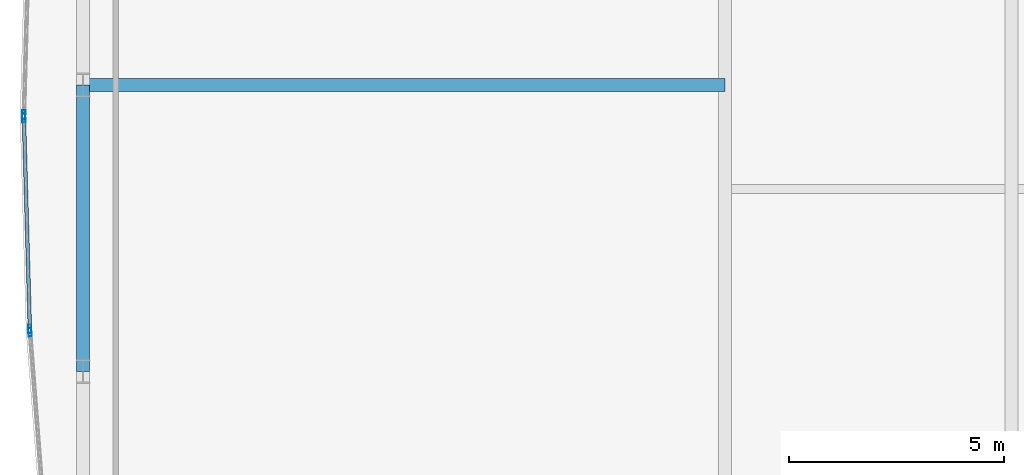
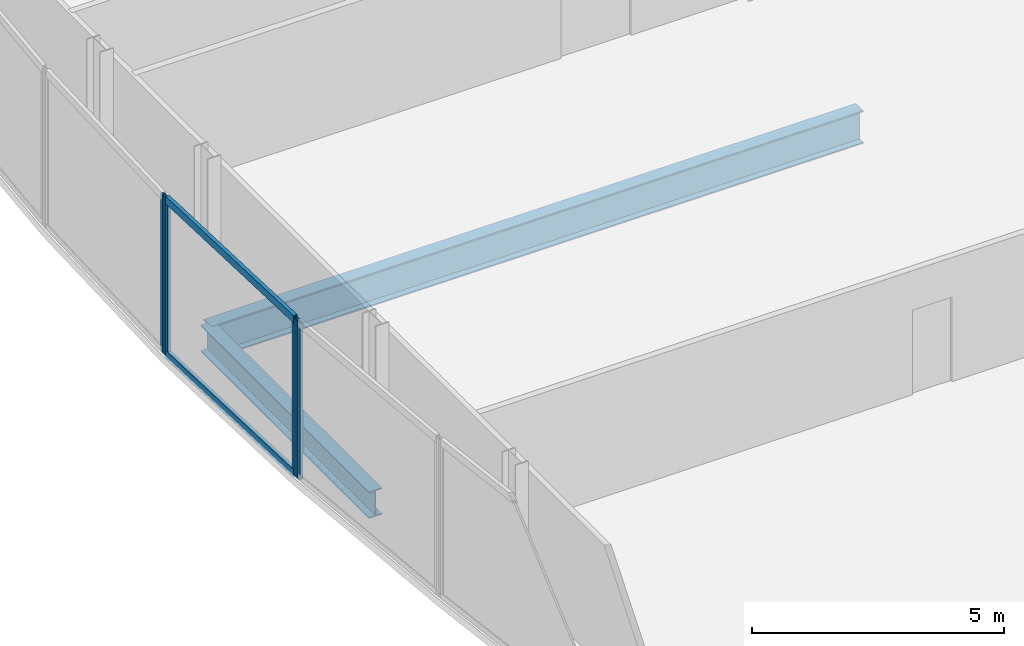
# One storey, part 10 of 30: 6 members, 2 beams, 3 elements without a shape of their own.
"""IFC4 building model written with IfcOpenShell, lengths in metres."""

from ifc_helpers import new_model, si_unit, direction, frame, origin, origin_2d, place, context, subcontext, project, spatial, hollow_rectangle, i_section, extrude, material, material_profile, profile_set, type_object, element, aggregate, save


model = new_model("IFC4")

# Units and contexts
model_context = context("Model", 3, precision=1e-05, world=origin(), true_north=direction((0.0, 1.0)))
body_context = subcontext(model_context, "Body", "Model", "MODEL_VIEW")
ifc_project = project(units=[si_unit("LENGTHUNIT", "METRE"), si_unit("AREAUNIT", "SQUARE_METRE"), si_unit("VOLUMEUNIT", "CUBIC_METRE"), si_unit("PLANEANGLEUNIT", "RADIAN"), si_unit("MASSUNIT", "GRAM", prefix="KILO")], contexts=[model_context])

# Site, building, storey
site_placement = place(None, origin())
site = spatial("IfcSite", under=ifc_project, at=site_placement, CompositionType="ELEMENT")
building_placement = place(site_placement, origin())
building = spatial("IfcBuilding", under=site, at=building_placement, Name="Khoronbel Lancet Exchange", CompositionType="ELEMENT")
storey_placement = place(building_placement, frame((0.0, 0.0, 98.60009765625)))
storey = spatial("IfcBuildingStorey", under=building, at=storey_placement, Name="L23", CompositionType="ELEMENT", Elevation=98.60009765625)

# Beams
ifc_material_1 = material(Name="Steel S355", Category="steel")
ifc_material_profile_1 = material_profile(ifc_material_1, i_section(OverallWidth=0.300048828125, OverallDepth=0.800048828125, WebThickness=0.017578125, FlangeThickness=0.032958984375, at=origin_2d()), Name="HEB 800")
ifc_profile_set_1 = profile_set([ifc_material_profile_1], Name="Steel S355")
beam_type_1 = type_object("IfcBeamType", Name="BM-BG2", PredefinedType="BEAM", material=ifc_profile_set_1)
beam_1_placement = place(storey_placement, frame((3.27001953125, 31.425048828125, -0.580078125), z_axis=(1.0, 0.0, 0.0), x_axis=(0.0, 1.0, 0.0)))
element("IfcBeam", 1, at=beam_1_placement, inside=storey, type_object=beam_type_1, Name="Level L23 west lens tie girder LG2W", PredefinedType="BEAM", context=body_context, shape_type="SweptSolid", body=[
    extrude(i_section(OverallWidth=0.300048828125, OverallDepth=0.800048828125, WebThickness=0.017578125, FlangeThickness=0.032958984375, at=origin_2d()), origin(), (0.0, 0.0, 1.0), 14.955078125),
])
ifc_material_profile_2 = material_profile(ifc_material_1, i_section(OverallWidth=0.300048828125, OverallDepth=0.64990234375, WebThickness=0.01611328125, FlangeThickness=0.031005859375, at=origin_2d()), Name="HEB 650")
ifc_profile_set_2 = profile_set([ifc_material_profile_2], Name="Steel S355")
beam_type_2 = type_object("IfcBeamType", Name="BM-BSP1", PredefinedType="SPANDREL", material=ifc_profile_set_2)
beam_2_placement = place(storey_placement, frame((3.27001953125, 31.425048828125, -0.505126953125), z_axis=(0.0, -1.0, 0.0), x_axis=(1.0, 0.0, 0.0)))
element("IfcBeam", 2, at=beam_2_placement, inside=storey, type_object=beam_type_2, Name="Level L23 perimeter spandrel beam SP19", PredefinedType="SPANDREL", context=body_context, shape_type="SweptSolid", body=[
    extrude(i_section(OverallWidth=0.300048828125, OverallDepth=0.64990234375, WebThickness=0.01611328125, FlangeThickness=0.031005859375, at=origin_2d()), origin(), (0.0, 0.0, 1.0), 6.675048828125),
])

# Curtain wall, member
ifc_material_2 = material(Name="Low-E Solar Control Insulating Glass", Category="glass")
curtain_wall_type = type_object("IfcCurtainWallType", Name="CW-4", PredefinedType="NOTDEFINED", material=ifc_material_2)
curtain_wall_1_placement = place(storey_placement, origin())
curtain_wall_1 = element("IfcCurtainWall", 3, at=curtain_wall_1_placement, inside=storey, type_object=curtain_wall_type, Name="Unitised curtain wall CW-L23-E05", PredefinedType="NOTDEFINED")
ifc_material_3 = material(Name="Bronze-Anodised Aluminium 6063-T6", Category="aluminium")
ifc_material_profile_3 = material_profile(ifc_material_3, hollow_rectangle(XDim=0.074951171875, YDim=0.199951171875, WallThickness=0.0048828125, at=origin_2d()), Name="ALU MULLION 75x200")
ifc_profile_set_3 = profile_set([ifc_material_profile_3], Name="Bronze-Anodised Aluminium 6063-T6")
member_type_1 = type_object("IfcMemberType", Name="MEM-CWM2", PredefinedType="MULLION", material=ifc_profile_set_3)
member_1_placement = place(storey_placement, frame((2.033447265625, 25.667236328125, 0.0), z_axis=(0.0, 0.0, 1.0), x_axis=(-0.997059882555, -0.076626304874, 0.0)))
member_1 = element("IfcMember", 4, at=member_1_placement, type_object=member_type_1, Name="CW4 mullion 2", PredefinedType="MULLION", context=body_context, shape_type="SweptSolid", body=[
    extrude(hollow_rectangle(XDim=0.074951171875, YDim=0.199951171875, WallThickness=0.0048828125, at=origin_2d()), origin(), (0.0, 0.0, 1.0), 3.81982421875),
])
aggregate(curtain_wall_1, [member_1])

# Curtain wall, members
curtain_wall_2_placement = place(storey_placement, origin())
curtain_wall_2 = element("IfcCurtainWall", 5, at=curtain_wall_2_placement, inside=storey, type_object=curtain_wall_type, Name="Unitised curtain wall CW-L23-E06", PredefinedType="NOTDEFINED")
member_2_placement = place(storey_placement, frame((2.029541015625, 25.7421875, 0.0), z_axis=(0.0, 0.0, 1.0), x_axis=(-0.999604123662, -0.028135315146, 0.0)))
member_2 = element("IfcMember", 6, at=member_2_placement, type_object=member_type_1, Name="CW4 mullion 1", PredefinedType="MULLION", context=body_context, shape_type="SweptSolid", body=[
    extrude(hollow_rectangle(XDim=0.074951171875, YDim=0.199951171875, WallThickness=0.0048828125, at=origin_2d()), origin(), (0.0, 0.0, 1.0), 3.81982421875),
])
member_3_placement = place(storey_placement, frame((1.89111328125, 30.66259765625, 0.0), z_axis=(0.0, 0.0, 1.0), x_axis=(-0.999604123662, -0.028135315146, 0.0)))
member_3 = element("IfcMember", 7, at=member_3_placement, type_object=member_type_1, Name="CW4 mullion 2", PredefinedType="MULLION", context=body_context, shape_type="SweptSolid", body=[
    extrude(hollow_rectangle(XDim=0.074951171875, YDim=0.199951171875, WallThickness=0.0048828125, at=origin_2d()), origin(), (0.0, 0.0, 1.0), 3.81982421875),
])

# Curtain wall, member
curtain_wall_3_placement = place(storey_placement, origin())
curtain_wall_3 = element("IfcCurtainWall", 8, at=curtain_wall_3_placement, inside=storey, type_object=curtain_wall_type, Name="Unitised curtain wall CW-L23-E07", PredefinedType="NOTDEFINED")
member_4_placement = place(storey_placement, frame((1.89111328125, 30.737548828125, 0.0), z_axis=(0.0, 0.0, 1.0), x_axis=(-0.999604123662, 0.028135315146, 0.0)))
member_4 = element("IfcMember", 9, at=member_4_placement, type_object=member_type_1, Name="CW4 mullion 1", PredefinedType="MULLION", context=body_context, shape_type="SweptSolid", body=[
    extrude(hollow_rectangle(XDim=0.074951171875, YDim=0.199951171875, WallThickness=0.0048828125, at=origin_2d()), origin(), (0.0, 0.0, 1.0), 3.81982421875),
])
aggregate(curtain_wall_3, [member_4])

# Member
ifc_material_profile_4 = material_profile(ifc_material_3, hollow_rectangle(XDim=0.0849609375, YDim=0.179931640625, WallThickness=0.0048828125, at=origin_2d()), Name="ALU TRANSOM 85x180")
ifc_profile_set_4 = profile_set([ifc_material_profile_4], Name="Bronze-Anodised Aluminium 6063-T6")
member_type_2 = type_object("IfcMemberType", Name="MEM-CWT1", PredefinedType="USERDEFINED", material=ifc_profile_set_4)
member_5_placement = place(storey_placement, frame((2.028564453125, 25.77978515625, 0.04248046875), z_axis=(-0.02815571823, 0.999603549179, 0.0), x_axis=(-0.999603549179, -0.02815571823, 0.0)))
member_5 = element("IfcMember", 10, at=member_5_placement, type_object=member_type_2, Name="CW4 transom 1.1", ObjectType="TRANSOM", PredefinedType="USERDEFINED", context=body_context, shape_type="SweptSolid", body=[
    extrude(hollow_rectangle(XDim=0.0849609375, YDim=0.179931640625, WallThickness=0.0048828125, at=origin_2d()), origin(), (0.0, 0.0, 1.0), 4.84716796875),
])

member_6_placement = place(storey_placement, frame((2.028564453125, 25.77978515625, 3.77734375), z_axis=(-0.02815571823, 0.999603549179, 0.0), x_axis=(-0.999603549179, -0.02815571823, 0.0)))
member_6 = element("IfcMember", 11, at=member_6_placement, type_object=member_type_2, Name="CW4 transom 1.2", ObjectType="TRANSOM", PredefinedType="USERDEFINED", context=body_context, shape_type="SweptSolid", body=[
    extrude(hollow_rectangle(XDim=0.0849609375, YDim=0.179931640625, WallThickness=0.0048828125, at=origin_2d()), origin(), (0.0, 0.0, 1.0), 4.84716796875),
])

aggregate(curtain_wall_2, [member_2, member_3, member_5, member_6])

save(model, "model.ifc")
